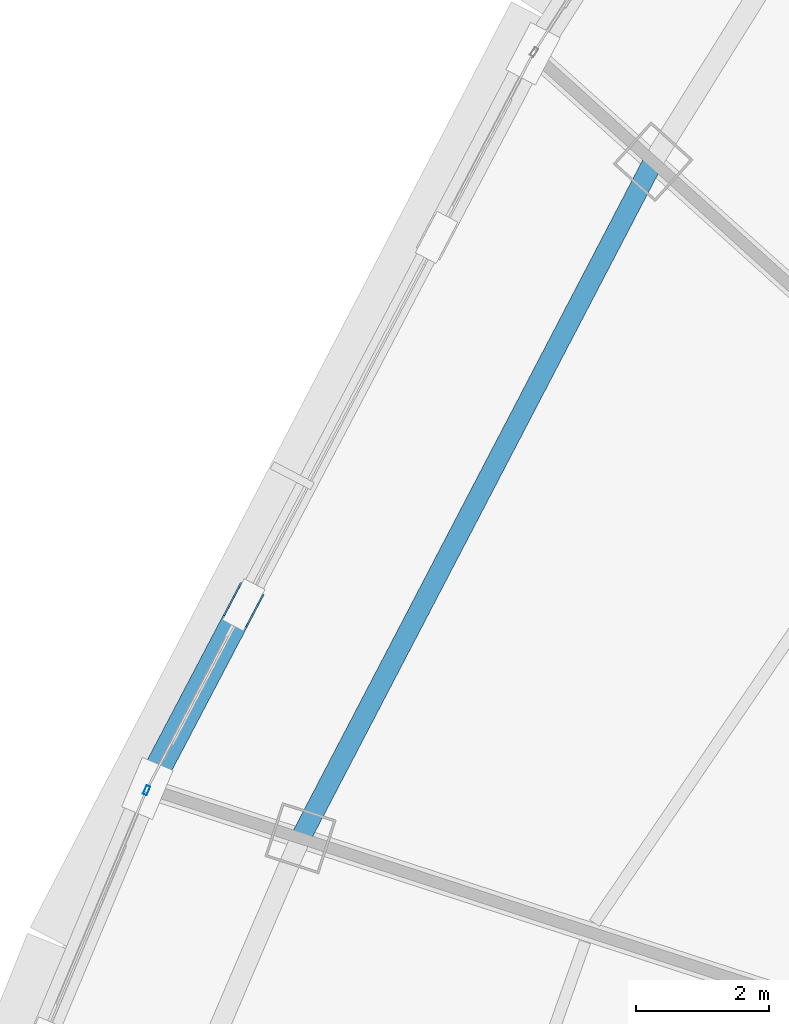
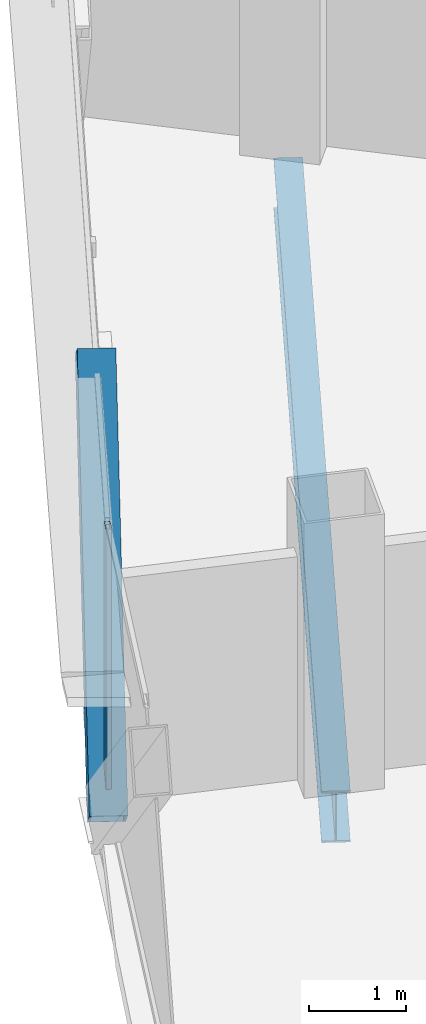
# One storey, part 8 of 37: 2 members, 1 beam, 1 element without a shape of its own.
"""IFC4 building model written with IfcOpenShell, lengths in metres."""

from ifc_helpers import new_model, si_unit, direction, frame, origin, origin_2d, place, context, subcontext, project, spatial, hollow_rectangle, i_section, extrude, source, transform, mapped, material, layer, layer_set, material_profile, profile_set, type_object, element, aggregate, save


model = new_model("IFC4")

# Units and contexts
model_context = context("Model", 3, precision=1e-05, world=origin(), true_north=direction((0.0, 1.0)))
body_context = subcontext(model_context, "Body", "Model", "MODEL_VIEW")
ifc_project = project(units=[si_unit("LENGTHUNIT", "METRE"), si_unit("AREAUNIT", "SQUARE_METRE"), si_unit("VOLUMEUNIT", "CUBIC_METRE"), si_unit("PLANEANGLEUNIT", "RADIAN"), si_unit("MASSUNIT", "GRAM", prefix="KILO"), si_unit("THERMODYNAMICTEMPERATUREUNIT", "KELVIN"), si_unit("POWERUNIT", "WATT")], contexts=[model_context])

# Site, building, storey
site_placement = place(None, origin())
site = spatial("IfcSite", under=ifc_project, at=site_placement, CompositionType="ELEMENT")
building_placement = place(site_placement, origin())
building = spatial("IfcBuilding", under=site, at=building_placement, Name="Yunzhuo Pagoda Commons", CompositionType="ELEMENT")
storey_placement = place(building_placement, frame((0.0, 0.0, 240.800048828125)))
storey = spatial("IfcBuildingStorey", under=building, at=storey_placement, Name="L60", CompositionType="ELEMENT", Elevation=240.800048828125)

# Beam
ifc_material_1 = material(Name="Structural steel Q355B", Category="steel")
ifc_material_profile_1 = material_profile(ifc_material_1, i_section(OverallWidth=0.300048828125, OverallDepth=0.64990234375, WebThickness=0.012939453125, FlangeThickness=0.02197265625, at=origin_2d()), Name="Structural steel Q355B")
ifc_profile_set_1 = profile_set([ifc_material_profile_1], Name="Structural steel Q355B")
beam_type = type_object("IfcBeamType", Name="B-RG2 Beam HN 650x300x13x22", PredefinedType="BEAM", material=ifc_profile_set_1)
shared_shape_1 = source(origin(), body_context, "Body", "SweptSolid", [
    extrude(i_section(OverallWidth=0.300048828125, OverallDepth=0.64990234375, WebThickness=0.012939453125, FlangeThickness=0.02197265625, at=origin_2d()), origin(), (0.0, 0.0, 1.0), 11.43896484375),
])
beam_placement = place(storey_placement, frame((27.38818359375, 52.259033203125, -0.5849609375), z_axis=(-0.462142168026, -0.886805850529, 0.0), x_axis=(0.886805850529, -0.462142168026, 0.0)))
element("IfcBeam", 1, at=beam_placement, inside=storey, type_object=beam_type, Name="L60 column-ring beam 10", PredefinedType="BEAM", context=body_context, shape_type="MappedRepresentation", body=[
    mapped(shared_shape_1, transform((0.0, 0.0, 0.0), scale=1.0)),
])

# Member
ifc_material_profile_2 = material_profile(ifc_material_1, hollow_rectangle(XDim=0.39990234375, YDim=0.719970703125, WallThickness=0.02392578125, at=origin_2d()), Name="Structural steel Q355B")
ifc_profile_set_2 = profile_set([ifc_material_profile_2], Name="Structural steel Q355B")
member_type_1 = type_object("IfcMemberType", Name="M-DL2 Brace BOX 720x400x24", PredefinedType="BRACE", material=ifc_profile_set_2)
shared_shape_2 = source(origin(), body_context, "Body", "SweptSolid", [
    extrude(hollow_rectangle(XDim=0.39990234375, YDim=0.719970703125, WallThickness=0.02392578125, at=origin_2d()), origin(), (0.0, 0.0, 1.0), 4.857177734375),
])
member_1_placement = place(storey_placement, frame((19.804931640625, 42.861083984375, -0.260009765625), z_axis=(0.297612034603, 0.567126597943, 0.767980793227), x_axis=(-0.885481058953, 0.464675471954, 0.0)))
element("IfcMember", 2, at=member_1_placement, inside=storey, type_object=member_type_1, Name="L60 facade diamond brace F3.2R", PredefinedType="BRACE", context=body_context, shape_type="MappedRepresentation", body=[
    mapped(shared_shape_2, transform((0.0, 0.0, 0.0), scale=1.0)),
])

# Curtain wall, member
ifc_material_2 = material(Name="Anodized aluminium 6063-T6", Category="aluminium")
ifc_layer = layer(ifc_material_2, 0.139892578125)
ifc_layer_set = layer_set([ifc_layer], Name="Anodized aluminium 6063-T6")
curtain_wall_type = type_object("IfcCurtainWallType", Name="CW-HI High-Zone Ribbon Curtain Wall", PredefinedType="NOTDEFINED", material=ifc_layer_set)
curtain_wall_placement = place(storey_placement, origin())
curtain_wall = element("IfcCurtainWall", 3, at=curtain_wall_placement, inside=storey, type_object=curtain_wall_type, Name="L60 curtain wall CW-L60-F3B4", PredefinedType="NOTDEFINED")
ifc_material_profile_3 = material_profile(ifc_material_2, hollow_rectangle(XDim=0.06005859375, YDim=0.139892578125, WallThickness=0.00341796875, at=origin_2d()), Name="Anodized aluminium 6063-T6")
ifc_profile_set_3 = profile_set([ifc_material_profile_3], Name="Anodized aluminium 6063-T6")
member_type_2 = type_object("IfcMemberType", Name="CW-HI-M Mullion RHS 140x60x3.5", PredefinedType="MULLION", material=ifc_profile_set_3)
shared_shape_3 = source(origin(), body_context, "Body", "SweptSolid", [
    extrude(hollow_rectangle(XDim=0.06005859375, YDim=0.139892578125, WallThickness=0.00341796875, at=origin_2d()), origin(), (0.0, 0.0, 1.0), 3.47021484375),
])
member_2_placement = place(storey_placement, frame((19.79296875, 42.83349609375, 0.0), z_axis=(0.0, 0.0, 1.0), x_axis=(0.922008372235, -0.387169938824, 0.0)))
member_2 = element("IfcMember", 4, at=member_2_placement, type_object=member_type_2, Name="CW mullion 1", PredefinedType="MULLION", context=body_context, shape_type="MappedRepresentation", body=[
    mapped(shared_shape_3, transform((0.0, 0.0, 0.0), scale=1.0)),
])
aggregate(curtain_wall, [member_2])

save(model, "model.ifc")
